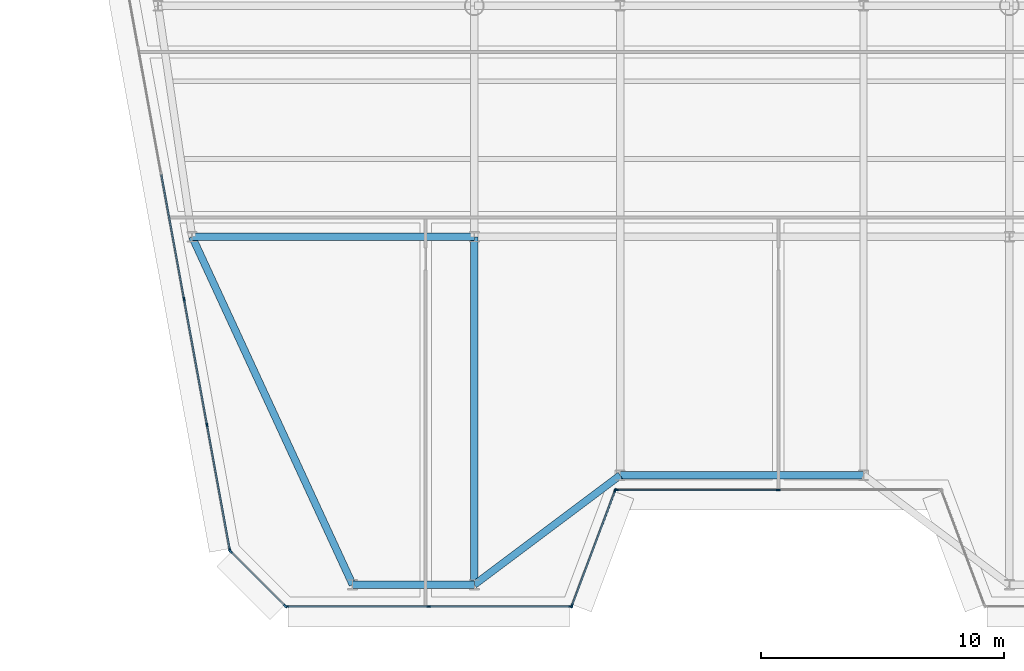
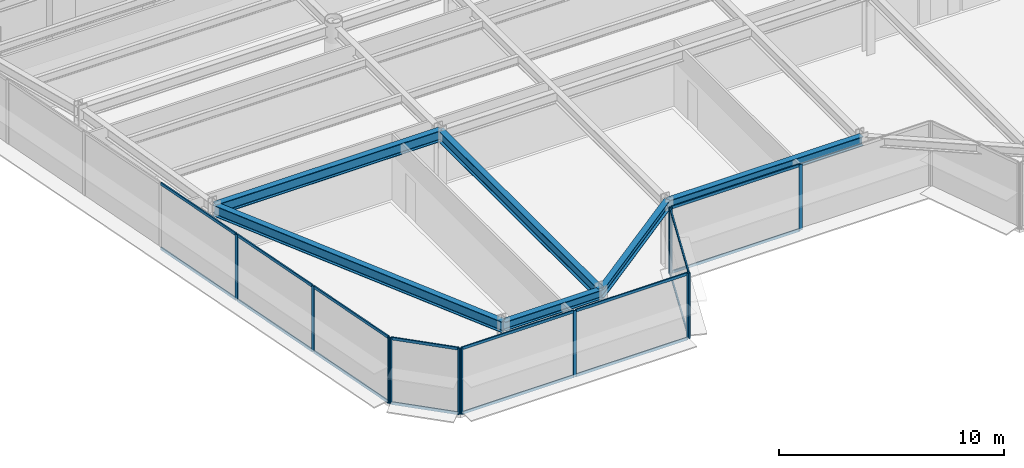
# One storey, part 2 of 17: 28 members, 6 beams, 5 elements without a shape of their own.
"""IFC4 building model written with IfcOpenShell, lengths in metres."""

from ifc_helpers import new_model, si_unit, direction, frame, origin, origin_2d, place, context, subcontext, project, spatial, rectangle, i_section, extrude, source, transform, mapped, material, layer, layer_set, material_profile, profile_set, type_object, element, aggregate, save


model = new_model("IFC4")

# Units and contexts
model_context = context("Model", 3, precision=1e-05, world=origin(), true_north=direction((0.0, 1.0)))
body_context = subcontext(model_context, "Body", "Model", "MODEL_VIEW")
ifc_project = project(units=[si_unit("LENGTHUNIT", "METRE"), si_unit("AREAUNIT", "SQUARE_METRE"), si_unit("VOLUMEUNIT", "CUBIC_METRE"), si_unit("PLANEANGLEUNIT", "RADIAN"), si_unit("MASSUNIT", "GRAM", prefix="KILO")], contexts=[model_context])

# Site, building, storey
site_placement = place(None, origin())
site = spatial("IfcSite", under=ifc_project, at=site_placement, CompositionType="ELEMENT")
building_placement = place(site_placement, origin())
building = spatial("IfcBuilding", under=site, at=building_placement, Name="Vaeldorn Concourse Tower", CompositionType="ELEMENT")
storey_placement = place(building_placement, frame((0.0, 0.0, 172.800048828125)))
storey = spatial("IfcBuildingStorey", under=building, at=storey_placement, Name="L44", CompositionType="ELEMENT", Elevation=172.800048828125)

# Beams
ifc_material_1 = material(Name="Steel S355", Category="steel")
ifc_material_profile_1 = material_profile(ifc_material_1, i_section(OverallWidth=0.300048828125, OverallDepth=0.5, WebThickness=0.014404296875, FlangeThickness=0.028076171875, FilletRadius=0.027099609375, at=origin_2d()), Name="HEB 500")
ifc_profile_set_1 = profile_set([ifc_material_profile_1], Name="Steel S355")
beam_type_1 = type_object("IfcBeamType", Name="BM-SP-HEB500", PredefinedType="SPANDREL", material=ifc_profile_set_1)
shared_shape_1 = source(origin(), body_context, "Body", "SweptSolid", [
    extrude(i_section(OverallWidth=0.300048828125, OverallDepth=0.5, WebThickness=0.014404296875, FlangeThickness=0.028076171875, FilletRadius=0.027099609375, at=origin_2d()), origin(), (0.0, 0.0, 1.0), 5.0),
])
beam_1_placement = place(storey_placement, frame((18.0, 3.699951171875, 3.329833984375), z_axis=(1.0, 0.0, 0.0), x_axis=(0.0, 1.0, 0.0)))
element("IfcBeam", 1, at=beam_1_placement, inside=storey, type_object=beam_type_1, Name="Beam BM-L44-C-SF1-C-SF2", PredefinedType="SPANDREL", context=body_context, shape_type="MappedRepresentation", body=[
    mapped(shared_shape_1, transform((0.0, 0.0, 0.0), scale=1.0)),
])
shared_shape_2 = source(origin(), body_context, "Body", "SweptSolid", [
    extrude(i_section(OverallWidth=0.300048828125, OverallDepth=0.5, WebThickness=0.014404296875, FlangeThickness=0.028076171875, FilletRadius=0.027099609375, at=origin_2d()), origin(), (0.0, 0.0, 1.0), 7.5),
])
beam_2_placement = place(storey_placement, frame((23.0, 3.699951171875, 3.329833984375), z_axis=(0.8, 0.6, 0.0), x_axis=(-0.6, 0.8, 0.0)))
element("IfcBeam", 2, at=beam_2_placement, inside=storey, type_object=beam_type_1, Name="Beam BM-L44-C-SF2-C-SF3", PredefinedType="SPANDREL", context=body_context, shape_type="MappedRepresentation", body=[
    mapped(shared_shape_2, transform((0.0, 0.0, 0.0), scale=1.0)),
])
shared_shape_3 = source(origin(), body_context, "Body", "SweptSolid", [
    extrude(i_section(OverallWidth=0.300048828125, OverallDepth=0.5, WebThickness=0.014404296875, FlangeThickness=0.028076171875, FilletRadius=0.027099609375, at=origin_2d()), origin(), (0.0, 0.0, 1.0), 10.0),
])
beam_3_placement = place(storey_placement, frame((29.0, 8.199951171875, 3.329833984375), z_axis=(1.0, 0.0, 0.0), x_axis=(0.0, 1.0, 0.0)))
element("IfcBeam", 3, at=beam_3_placement, inside=storey, type_object=beam_type_1, Name="Beam BM-L44-C-SF3-C-SF4", PredefinedType="SPANDREL", context=body_context, shape_type="MappedRepresentation", body=[
    mapped(shared_shape_3, transform((0.0, 0.0, 0.0), scale=1.0)),
])
ifc_material_profile_2 = material_profile(ifc_material_1, i_section(OverallWidth=0.300048828125, OverallDepth=0.60009765625, WebThickness=0.015380859375, FlangeThickness=0.030029296875, FilletRadius=0.027099609375, at=origin_2d()), Name="HEB 600")
ifc_profile_set_2 = profile_set([ifc_material_profile_2], Name="Steel S355")
beam_type_2 = type_object("IfcBeamType", Name="BM-PG-HEB600", PredefinedType="BEAM", material=ifc_profile_set_2)
shared_shape_4 = source(origin(), body_context, "Body", "SweptSolid", [
    extrude(i_section(OverallWidth=0.300048828125, OverallDepth=0.60009765625, WebThickness=0.015380859375, FlangeThickness=0.030029296875, FilletRadius=0.027099609375, at=origin_2d()), origin(), (0.0, 0.0, 1.0), 11.60009765625),
])
beam_4_placement = place(storey_placement, frame((11.39990234375, 18.0, 3.280029296875), z_axis=(1.0, 0.0, 0.0), x_axis=(0.0, 1.0, 0.0)))
element("IfcBeam", 4, at=beam_4_placement, inside=storey, type_object=beam_type_2, Name="Beam BM-L44-C-FLW2-C-TW5", PredefinedType="BEAM", context=body_context, shape_type="MappedRepresentation", body=[
    mapped(shared_shape_4, transform((0.0, 0.0, 0.0), scale=1.0)),
])
shared_shape_5 = source(origin(), body_context, "Body", "SweptSolid", [
    extrude(i_section(OverallWidth=0.300048828125, OverallDepth=0.60009765625, WebThickness=0.015380859375, FlangeThickness=0.030029296875, FilletRadius=0.027099609375, at=origin_2d()), origin(), (0.0, 0.0, 1.0), 15.749755859375),
])
beam_5_placement = place(storey_placement, frame((18.0, 3.699951171875, 3.280029296875), z_axis=(-0.419062109495, 0.907957569706, 0.0), x_axis=(-0.907957569706, -0.419062109495, 0.0)))
element("IfcBeam", 5, at=beam_5_placement, inside=storey, type_object=beam_type_2, Name="Beam BM-L44-C-SF1-C-FLW2", PredefinedType="BEAM", context=body_context, shape_type="MappedRepresentation", body=[
    mapped(shared_shape_5, transform((0.0, 0.0, 0.0), scale=1.0)),
])
shared_shape_6 = source(origin(), body_context, "Body", "SweptSolid", [
    extrude(i_section(OverallWidth=0.300048828125, OverallDepth=0.60009765625, WebThickness=0.015380859375, FlangeThickness=0.030029296875, FilletRadius=0.027099609375, at=origin_2d()), origin(), (0.0, 0.0, 1.0), 14.300048828125),
])
beam_6_placement = place(storey_placement, frame((23.0, 3.699951171875, 3.280029296875), z_axis=(0.0, 1.0, 0.0), x_axis=(-1.0, 0.0, 0.0)))
element("IfcBeam", 6, at=beam_6_placement, inside=storey, type_object=beam_type_2, Name="Beam BM-L44-C-SF2-C-TW5", PredefinedType="BEAM", context=body_context, shape_type="MappedRepresentation", body=[
    mapped(shared_shape_6, transform((0.0, 0.0, 0.0), scale=1.0)),
])

# Curtain wall, members
ifc_material_2 = material(Name="Anodised Bronze Aluminium", Category="aluminium")
ifc_layer = layer(ifc_material_2, 0.18994140625)
ifc_layer_set = layer_set([ifc_layer], Name="Anodised Bronze Aluminium")
curtain_wall_type = type_object("IfcCurtainWallType", Name="CW-SYS-03", PredefinedType="NOTDEFINED", material=ifc_layer_set)
curtain_wall_1_placement = place(storey_placement, origin())
curtain_wall_1 = element("IfcCurtainWall", 7, at=curtain_wall_1_placement, inside=storey, type_object=curtain_wall_type, Name="Unitised Curtain Wall CW-L44-E01-1", PredefinedType="NOTDEFINED")
ifc_material_profile_3 = material_profile(ifc_material_2, rectangle(XDim=0.06494140625, YDim=0.169921875, at=origin_2d()), Name="CWM 65x170")
ifc_profile_set_3 = profile_set([ifc_material_profile_3], Name="Anodised Bronze Aluminium")
member_type_1 = type_object("IfcMemberType", Name="CWM-BRONZE-170", PredefinedType="MULLION", material=ifc_profile_set_3)
shared_shape_7 = source(origin(), body_context, "Body", "SweptSolid", [
    extrude(rectangle(XDim=0.06494140625, YDim=0.169921875, at=origin_2d()), origin(), (0.0, 0.0, 1.0), 3.579833984375),
])
member_1_placement = place(storey_placement, frame((15.285400390625, 2.800048828125, 0.0), z_axis=(0.0, 0.0, 1.0), x_axis=(0.0, 1.0, 0.0)))
member_1 = element("IfcMember", 8, at=member_1_placement, type_object=member_type_1, Name="CW-03 mullion 1", PredefinedType="MULLION", context=body_context, shape_type="MappedRepresentation", body=[
    mapped(shared_shape_7, transform((0.0, 0.0, 0.0), scale=1.0)),
])
member_2_placement = place(storey_placement, frame((21.12646484375, 2.800048828125, 0.0), z_axis=(0.0, 0.0, 1.0), x_axis=(0.0, 1.0, 0.0)))
member_2 = element("IfcMember", 9, at=member_2_placement, type_object=member_type_1, Name="CW-03 mullion 2", PredefinedType="MULLION", context=body_context, shape_type="MappedRepresentation", body=[
    mapped(shared_shape_7, transform((0.0, 0.0, 0.0), scale=1.0)),
])
member_3_placement = place(storey_placement, frame((26.967529296875, 2.800048828125, 0.0), z_axis=(0.0, 0.0, 1.0), x_axis=(0.0, 1.0, 0.0)))
member_3 = element("IfcMember", 10, at=member_3_placement, type_object=member_type_1, Name="CW-03 mullion 3", PredefinedType="MULLION", context=body_context, shape_type="MappedRepresentation", body=[
    mapped(shared_shape_7, transform((0.0, 0.0, 0.0), scale=1.0)),
])

curtain_wall_2_placement = place(storey_placement, origin())
curtain_wall_2 = element("IfcCurtainWall", 11, at=curtain_wall_2_placement, inside=storey, type_object=curtain_wall_type, Name="Unitised Curtain Wall CW-L44-E02-1", PredefinedType="NOTDEFINED")
member_4_placement = place(storey_placement, frame((27.011474609375, 2.830322265625, 0.0), z_axis=(0.0, 0.0, 1.0), x_axis=(-0.936329177566, 0.351123441595, 0.0)))
member_4 = element("IfcMember", 12, at=member_4_placement, type_object=member_type_1, Name="CW-03 mullion 1", PredefinedType="MULLION", context=body_context, shape_type="MappedRepresentation", body=[
    mapped(shared_shape_7, transform((0.0, 0.0, 0.0), scale=1.0)),
])
member_5_placement = place(storey_placement, frame((28.78857421875, 7.569580078125, 0.0), z_axis=(0.0, 0.0, 1.0), x_axis=(-0.936329177566, 0.351123441595, 0.0)))
member_5 = element("IfcMember", 13, at=member_5_placement, type_object=member_type_1, Name="CW-03 mullion 2", PredefinedType="MULLION", context=body_context, shape_type="MappedRepresentation", body=[
    mapped(shared_shape_7, transform((0.0, 0.0, 0.0), scale=1.0)),
])

curtain_wall_3_placement = place(storey_placement, origin())
curtain_wall_3 = element("IfcCurtainWall", 14, at=curtain_wall_3_placement, inside=storey, type_object=curtain_wall_type, Name="Unitised Curtain Wall CW-L44-E03-1", PredefinedType="NOTDEFINED")
member_6_placement = place(storey_placement, frame((28.83251953125, 7.60009765625, 0.0), z_axis=(0.0, 0.0, 1.0), x_axis=(0.0, 1.0, 0.0)))
member_6 = element("IfcMember", 15, at=member_6_placement, type_object=member_type_1, Name="CW-03 mullion 1", PredefinedType="MULLION", context=body_context, shape_type="MappedRepresentation", body=[
    mapped(shared_shape_7, transform((0.0, 0.0, 0.0), scale=1.0)),
])
member_7_placement = place(storey_placement, frame((35.5, 7.60009765625, 0.0), z_axis=(0.0, 0.0, 1.0), x_axis=(0.0, 1.0, 0.0)))
member_7 = element("IfcMember", 16, at=member_7_placement, type_object=member_type_1, Name="CW-03 mullion 2", PredefinedType="MULLION", context=body_context, shape_type="MappedRepresentation", body=[
    mapped(shared_shape_7, transform((0.0, 0.0, 0.0), scale=1.0)),
])

curtain_wall_4_placement = place(storey_placement, origin())
curtain_wall_4 = element("IfcCurtainWall", 17, at=curtain_wall_4_placement, inside=storey, type_object=curtain_wall_type, Name="Unitised Curtain Wall CW-L44-E11-2", PredefinedType="NOTDEFINED")
member_8_placement = place(storey_placement, frame((11.069091796875, 15.427734375, 0.0), z_axis=(0.0, 0.0, 1.0), x_axis=(0.983767841325, 0.179445909331, 0.0)))
member_8 = element("IfcMember", 18, at=member_8_placement, type_object=member_type_1, Name="CW-03 mullion 5", PredefinedType="MULLION", context=body_context, shape_type="MappedRepresentation", body=[
    mapped(shared_shape_7, transform((0.0, 0.0, 0.0), scale=1.0)),
])
member_9_placement = place(storey_placement, frame((12.010986328125, 10.263916015625, 0.0), z_axis=(0.0, 0.0, 1.0), x_axis=(0.983767841325, 0.179445909331, 0.0)))
member_9 = element("IfcMember", 19, at=member_9_placement, type_object=member_type_1, Name="CW-03 mullion 6", PredefinedType="MULLION", context=body_context, shape_type="MappedRepresentation", body=[
    mapped(shared_shape_7, transform((0.0, 0.0, 0.0), scale=1.0)),
])
member_10_placement = place(storey_placement, frame((12.947265625, 5.132080078125, 0.0), z_axis=(0.0, 0.0, 1.0), x_axis=(0.983767841325, 0.179445909331, 0.0)))
member_10 = element("IfcMember", 20, at=member_10_placement, type_object=member_type_1, Name="CW-03 mullion 7", PredefinedType="MULLION", context=body_context, shape_type="MappedRepresentation", body=[
    mapped(shared_shape_7, transform((0.0, 0.0, 0.0), scale=1.0)),
])

curtain_wall_5_placement = place(storey_placement, origin())
curtain_wall_5 = element("IfcCurtainWall", 21, at=curtain_wall_5_placement, inside=storey, type_object=curtain_wall_type, Name="Unitised Curtain Wall CW-L44-E12-1", PredefinedType="NOTDEFINED")
member_11_placement = place(storey_placement, frame((12.97607421875, 5.076904296875, 0.0), z_axis=(0.0, 0.0, 1.0), x_axis=(0.707106781187, 0.707106781187, 0.0)))
member_11 = element("IfcMember", 22, at=member_11_placement, type_object=member_type_1, Name="CW-03 mullion 1", PredefinedType="MULLION", context=body_context, shape_type="MappedRepresentation", body=[
    mapped(shared_shape_7, transform((0.0, 0.0, 0.0), scale=1.0)),
])
member_12_placement = place(storey_placement, frame((15.22998046875, 2.822998046875, 0.0), z_axis=(0.0, 0.0, 1.0), x_axis=(0.707106781187, 0.707106781187, 0.0)))
member_12 = element("IfcMember", 23, at=member_12_placement, type_object=member_type_1, Name="CW-03 mullion 2", PredefinedType="MULLION", context=body_context, shape_type="MappedRepresentation", body=[
    mapped(shared_shape_7, transform((0.0, 0.0, 0.0), scale=1.0)),
])

# Member
ifc_material_profile_4 = material_profile(ifc_material_2, rectangle(XDim=0.06494140625, YDim=0.14990234375, at=origin_2d()), Name="CWT 65x150")
ifc_profile_set_4 = profile_set([ifc_material_profile_4], Name="Anodised Bronze Aluminium")
member_type_2 = type_object("IfcMemberType", Name="CWT-BRONZE-150", PredefinedType="USERDEFINED", material=ifc_profile_set_4)
shared_shape_8 = source(origin(), body_context, "Body", "SweptSolid", [
    extrude(rectangle(XDim=0.06494140625, YDim=0.14990234375, at=origin_2d()), origin(), (0.0, 0.0, 1.0), 4.996337890625),
])
member_13_placement = place(storey_placement, frame((27.022705078125, 2.86083984375, 0.032470703125), z_axis=(0.351134151405, 0.936325161318, 0.0), x_axis=(-0.936325161318, 0.351134151405, 0.0)))
member_13 = element("IfcMember", 24, at=member_13_placement, type_object=member_type_2, Name="CW-03 transom 1.1", ObjectType="TRANSOM", PredefinedType="USERDEFINED", context=body_context, shape_type="MappedRepresentation", body=[
    mapped(shared_shape_8, transform((0.0, 0.0, 0.0), scale=1.0)),
])

member_14_placement = place(storey_placement, frame((27.022705078125, 2.86083984375, 3.54736328125), z_axis=(0.351134151405, 0.936325161318, 0.0), x_axis=(-0.936325161318, 0.351134151405, 0.0)))
member_14 = element("IfcMember", 25, at=member_14_placement, type_object=member_type_2, Name="CW-03 transom 1.2", ObjectType="TRANSOM", PredefinedType="USERDEFINED", context=body_context, shape_type="MappedRepresentation", body=[
    mapped(shared_shape_8, transform((0.0, 0.0, 0.0), scale=1.0)),
])

aggregate(curtain_wall_2, [member_4, member_5, member_13, member_14])

shared_shape_9 = source(origin(), body_context, "Body", "SweptSolid", [
    extrude(rectangle(XDim=0.06494140625, YDim=0.14990234375, at=origin_2d()), origin(), (0.0, 0.0, 1.0), 6.6025390625),
])
member_15_placement = place(storey_placement, frame((28.864990234375, 7.60009765625, 0.032470703125), z_axis=(1.0, 0.0, 0.0), x_axis=(0.0, 1.0, 0.0)))
member_15 = element("IfcMember", 26, at=member_15_placement, type_object=member_type_2, Name="CW-03 transom 1.1", ObjectType="TRANSOM", PredefinedType="USERDEFINED", context=body_context, shape_type="MappedRepresentation", body=[
    mapped(shared_shape_9, transform((0.0, 0.0, 0.0), scale=1.0)),
])

member_16_placement = place(storey_placement, frame((28.864990234375, 7.60009765625, 3.54736328125), z_axis=(1.0, 0.0, 0.0), x_axis=(0.0, 1.0, 0.0)))
member_16 = element("IfcMember", 27, at=member_16_placement, type_object=member_type_2, Name="CW-03 transom 1.2", ObjectType="TRANSOM", PredefinedType="USERDEFINED", context=body_context, shape_type="MappedRepresentation", body=[
    mapped(shared_shape_9, transform((0.0, 0.0, 0.0), scale=1.0)),
])

aggregate(curtain_wall_3, [member_6, member_7, member_15, member_16])

shared_shape_10 = source(origin(), body_context, "Body", "SweptSolid", [
    extrude(rectangle(XDim=0.06494140625, YDim=0.14990234375, at=origin_2d()), origin(), (0.0, 0.0, 1.0), 3.12255859375),
])
member_17_placement = place(storey_placement, frame((12.9990234375, 5.053955078125, 0.032470703125), z_axis=(0.707106781187, -0.707106781187, 0.0), x_axis=(0.707106781187, 0.707106781187, 0.0)))
member_17 = element("IfcMember", 28, at=member_17_placement, type_object=member_type_2, Name="CW-03 transom 1.1", ObjectType="TRANSOM", PredefinedType="USERDEFINED", context=body_context, shape_type="MappedRepresentation", body=[
    mapped(shared_shape_10, transform((0.0, 0.0, 0.0), scale=1.0)),
])

member_18_placement = place(storey_placement, frame((12.9990234375, 5.053955078125, 3.54736328125), z_axis=(0.707106781187, -0.707106781187, 0.0), x_axis=(0.707106781187, 0.707106781187, 0.0)))
member_18 = element("IfcMember", 29, at=member_18_placement, type_object=member_type_2, Name="CW-03 transom 1.2", ObjectType="TRANSOM", PredefinedType="USERDEFINED", context=body_context, shape_type="MappedRepresentation", body=[
    mapped(shared_shape_10, transform((0.0, 0.0, 0.0), scale=1.0)),
])

aggregate(curtain_wall_5, [member_11, member_12, member_17, member_18])

shared_shape_11 = source(origin(), body_context, "Body", "SweptSolid", [
    extrude(rectangle(XDim=0.06494140625, YDim=0.14990234375, at=origin_2d()), origin(), (0.0, 0.0, 1.0), 5.77587890625),
])
member_19_placement = place(storey_placement, frame((15.318115234375, 2.800048828125, 0.032470703125), z_axis=(1.0, 0.0, 0.0), x_axis=(0.0, 1.0, 0.0)))
member_19 = element("IfcMember", 30, at=member_19_placement, type_object=member_type_2, Name="CW-03 transom 1.1", ObjectType="TRANSOM", PredefinedType="USERDEFINED", context=body_context, shape_type="MappedRepresentation", body=[
    mapped(shared_shape_11, transform((0.0, 0.0, 0.0), scale=1.0)),
])

member_20_placement = place(storey_placement, frame((15.318115234375, 2.800048828125, 3.54736328125), z_axis=(1.0, 0.0, 0.0), x_axis=(0.0, 1.0, 0.0)))
member_20 = element("IfcMember", 31, at=member_20_placement, type_object=member_type_2, Name="CW-03 transom 1.2", ObjectType="TRANSOM", PredefinedType="USERDEFINED", context=body_context, shape_type="MappedRepresentation", body=[
    mapped(shared_shape_11, transform((0.0, 0.0, 0.0), scale=1.0)),
])

shared_shape_12 = source(origin(), body_context, "Body", "SweptSolid", [
    extrude(rectangle(XDim=0.06494140625, YDim=0.14990234375, at=origin_2d()), origin(), (0.0, 0.0, 1.0), 5.776123046875),
])
member_21_placement = place(storey_placement, frame((21.158935546875, 2.800048828125, 0.032470703125), z_axis=(1.0, 0.0, 0.0), x_axis=(0.0, 1.0, 0.0)))
member_21 = element("IfcMember", 32, at=member_21_placement, type_object=member_type_2, Name="CW-03 transom 2.1", ObjectType="TRANSOM", PredefinedType="USERDEFINED", context=body_context, shape_type="MappedRepresentation", body=[
    mapped(shared_shape_12, transform((0.0, 0.0, 0.0), scale=1.0)),
])

member_22_placement = place(storey_placement, frame((21.158935546875, 2.800048828125, 3.54736328125), z_axis=(1.0, 0.0, 0.0), x_axis=(0.0, 1.0, 0.0)))
member_22 = element("IfcMember", 33, at=member_22_placement, type_object=member_type_2, Name="CW-03 transom 2.2", ObjectType="TRANSOM", PredefinedType="USERDEFINED", context=body_context, shape_type="MappedRepresentation", body=[
    mapped(shared_shape_12, transform((0.0, 0.0, 0.0), scale=1.0)),
])

aggregate(curtain_wall_1, [member_1, member_2, member_3, member_19, member_20, member_21, member_22])

shared_shape_13 = source(origin(), body_context, "Body", "SweptSolid", [
    extrude(rectangle(XDim=0.06494140625, YDim=0.14990234375, at=origin_2d()), origin(), (0.0, 0.0, 1.0), 5.151611328125),
])
member_23_placement = place(storey_placement, frame((12.016845703125, 10.23193359375, 0.032470703125), z_axis=(0.179473445995, -0.983762818053, 0.0), x_axis=(0.983762818053, 0.179473445995, 0.0)))
member_23 = element("IfcMember", 34, at=member_23_placement, type_object=member_type_2, Name="CW-03 transom 6.1", ObjectType="TRANSOM", PredefinedType="USERDEFINED", context=body_context, shape_type="MappedRepresentation", body=[
    mapped(shared_shape_13, transform((0.0, 0.0, 0.0), scale=1.0)),
])

member_24_placement = place(storey_placement, frame((12.016845703125, 10.23193359375, 3.54736328125), z_axis=(0.179473445995, -0.983762818053, 0.0), x_axis=(0.983762818053, 0.179473445995, 0.0)))
member_24 = element("IfcMember", 35, at=member_24_placement, type_object=member_type_2, Name="CW-03 transom 6.2", ObjectType="TRANSOM", PredefinedType="USERDEFINED", context=body_context, shape_type="MappedRepresentation", body=[
    mapped(shared_shape_13, transform((0.0, 0.0, 0.0), scale=1.0)),
])

shared_shape_14 = source(origin(), body_context, "Body", "SweptSolid", [
    extrude(rectangle(XDim=0.06494140625, YDim=0.14990234375, at=origin_2d()), origin(), (0.0, 0.0, 1.0), 5.18408203125),
])
member_25_placement = place(storey_placement, frame((11.074951171875, 15.395751953125, 0.032470703125), z_axis=(0.179432467646, -0.983770293084, 0.0), x_axis=(0.983770293084, 0.179432467646, 0.0)))
member_25 = element("IfcMember", 36, at=member_25_placement, type_object=member_type_2, Name="CW-03 transom 5.1", ObjectType="TRANSOM", PredefinedType="USERDEFINED", context=body_context, shape_type="MappedRepresentation", body=[
    mapped(shared_shape_14, transform((0.0, 0.0, 0.0), scale=1.0)),
])

member_26_placement = place(storey_placement, frame((11.074951171875, 15.395751953125, 3.54736328125), z_axis=(0.179432467646, -0.983770293084, 0.0), x_axis=(0.983770293084, 0.179432467646, 0.0)))
member_26 = element("IfcMember", 37, at=member_26_placement, type_object=member_type_2, Name="CW-03 transom 5.2", ObjectType="TRANSOM", PredefinedType="USERDEFINED", context=body_context, shape_type="MappedRepresentation", body=[
    mapped(shared_shape_14, transform((0.0, 0.0, 0.0), scale=1.0)),
])

shared_shape_15 = source(origin(), body_context, "Body", "SweptSolid", [
    extrude(rectangle(XDim=0.06494140625, YDim=0.14990234375, at=origin_2d()), origin(), (0.0, 0.0, 1.0), 5.184326171875),
])
member_27_placement = place(storey_placement, frame((10.133056640625, 20.559814453125, 0.032470703125), z_axis=(0.179424154775, -0.983771809254, 0.0), x_axis=(0.983771809254, 0.179424154775, 0.0)))
member_27 = element("IfcMember", 38, at=member_27_placement, type_object=member_type_2, Name="CW-03 transom 4.1", ObjectType="TRANSOM", PredefinedType="USERDEFINED", context=body_context, shape_type="MappedRepresentation", body=[
    mapped(shared_shape_15, transform((0.0, 0.0, 0.0), scale=1.0)),
])

member_28_placement = place(storey_placement, frame((10.133056640625, 20.559814453125, 3.54736328125), z_axis=(0.179424154775, -0.983771809254, 0.0), x_axis=(0.983771809254, 0.179424154775, 0.0)))
member_28 = element("IfcMember", 39, at=member_28_placement, type_object=member_type_2, Name="CW-03 transom 4.2", ObjectType="TRANSOM", PredefinedType="USERDEFINED", context=body_context, shape_type="MappedRepresentation", body=[
    mapped(shared_shape_15, transform((0.0, 0.0, 0.0), scale=1.0)),
])

aggregate(curtain_wall_4, [member_8, member_9, member_10, member_27, member_28, member_25, member_26, member_23, member_24])

save(model, "model.ifc")
